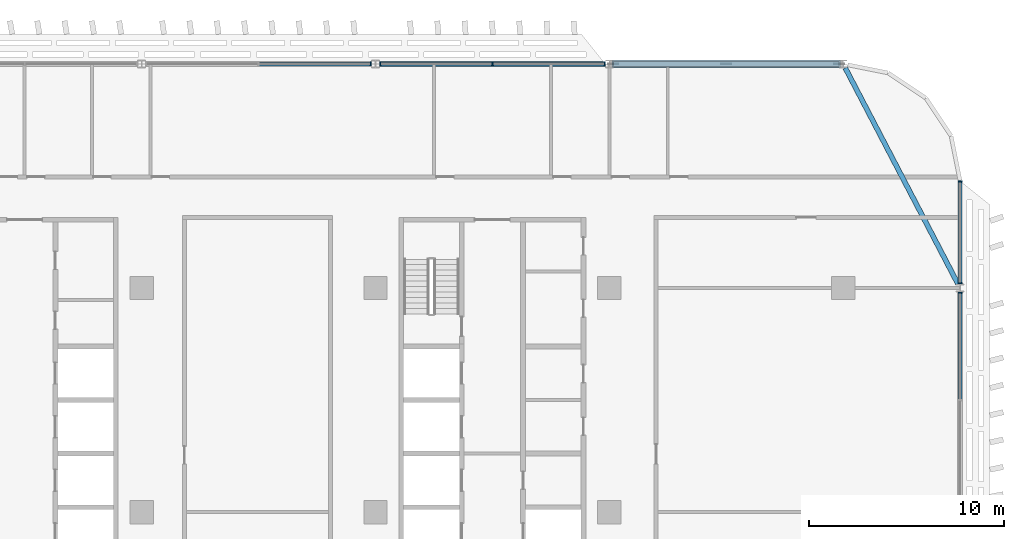
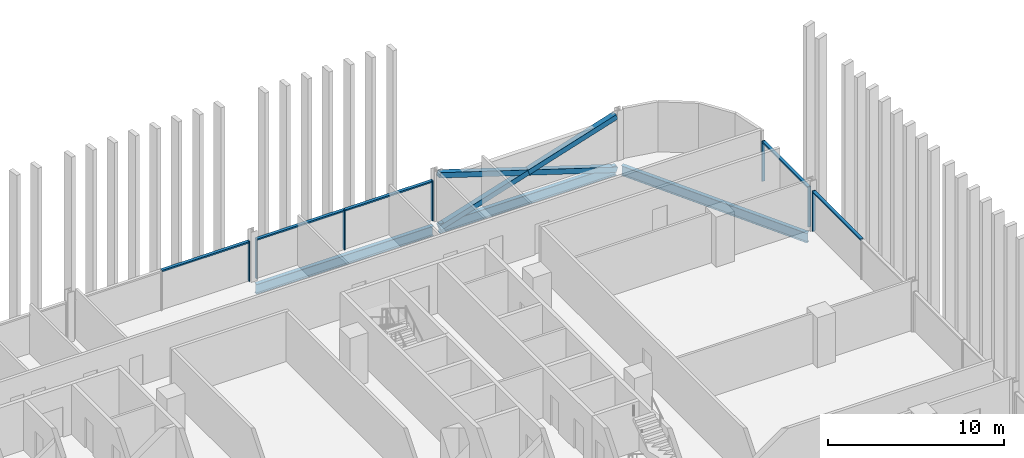
# One storey, part 10 of 28: 15 members, 3 beams, 4 elements without a shape of their own.
"""IFC4 building model written with IfcOpenShell, lengths in metres."""

from ifc_helpers import new_model, si_unit, direction, frame, origin, origin_2d, place, context, subcontext, project, spatial, rectangle, hollow_rectangle, i_section, extrude, material, material_profile, profile_set, type_object, element, aggregate, save


model = new_model("IFC4")

# Units and contexts
model_context = context("Model", 3, precision=1e-05, world=origin(), true_north=direction((0.0, 1.0)))
body_context = subcontext(model_context, "Body", "Model", "MODEL_VIEW")
ifc_project = project(units=[si_unit("LENGTHUNIT", "METRE"), si_unit("AREAUNIT", "SQUARE_METRE"), si_unit("VOLUMEUNIT", "CUBIC_METRE"), si_unit("PLANEANGLEUNIT", "RADIAN"), si_unit("MASSUNIT", "GRAM", prefix="KILO")], contexts=[model_context])

# Site, building, storey
site_placement = place(None, origin())
site = spatial("IfcSite", under=ifc_project, at=site_placement, CompositionType="ELEMENT")
building_placement = place(site_placement, origin())
building = spatial("IfcBuilding", under=site, at=building_placement, Name="Mahtab Terrace Research Tower", CompositionType="ELEMENT")
storey_placement = place(building_placement, frame((0.0, 0.0, 174.39990234375)))
storey = spatial("IfcBuildingStorey", under=building, at=storey_placement, Name="L41", CompositionType="ELEMENT", Elevation=174.39990234375)

# Members
ifc_material_1 = material(Name="Steel ASTM A500 Gr C", Category="steel")
ifc_material_profile_1 = material_profile(ifc_material_1, hollow_rectangle(XDim=0.355712890625, YDim=0.355712890625, WallThickness=0.015869140625, at=origin_2d()), Name="HSS14X14X5/8")
ifc_profile_set_1 = profile_set([ifc_material_profile_1], Name="Steel ASTM A500 Gr C")
member_type_1 = type_object("IfcMemberType", Name="HSS 14x14x5/8 brace XB141458", PredefinedType="BRACE", material=ifc_profile_set_1)
member_1_placement = place(storey_placement, frame((41.796875, 23.0, -0.61474609375), z_axis=(-0.953341454971, 0.0, 0.301894137463), x_axis=(0.0, -1.0, 0.0)))
element("IfcMember", 1, at=member_1_placement, inside=storey, type_object=member_type_1, Name="Exoskeleton brace L41 01 a", PredefinedType="BRACE", context=body_context, shape_type="SweptSolid", body=[
    extrude(hollow_rectangle(XDim=0.355712890625, YDim=0.355712890625, WallThickness=0.015869140625, at=origin_2d()), origin(), (0.0, 0.0, 1.0), 12.1611328125),
])
for number, where, z_axis, x_axis, name in (
    (2, (30.203125, 23.0, -0.61474609375), (0.953341454971, 0.0, 0.301894137463), (0.0, 1.0, 0.0), "Exoskeleton brace L41 01 b1"),
    (3, (36.0, 23.0, 1.220947265625), (0.953341454971, 0.0, 0.301894137463), (0.0, 1.0, 0.0), "Exoskeleton brace L41 01 b2"),
):
    element("IfcMember", number, at=place(storey_placement, frame(where, z_axis=z_axis, x_axis=x_axis)), inside=storey, type_object=member_type_1, Name=name, PredefinedType="BRACE", context=body_context, shape_type="SweptSolid", body=[
        extrude(hollow_rectangle(XDim=0.355712890625, YDim=0.355712890625, WallThickness=0.015869140625, at=origin_2d()), origin(), (0.0, 0.0, 1.0), 6.08056640625),
    ])

# Curtain wall, members
ifc_material_2 = material(Name="Laboratory ribbon curtain wall")
curtain_wall_type = type_object("IfcCurtainWallType", Name="Laboratory ribbon curtain wall", PredefinedType="NOTDEFINED", material=ifc_material_2)
curtain_wall_1_placement = place(storey_placement, origin())
curtain_wall_1 = element("IfcCurtainWall", 4, at=curtain_wall_1_placement, inside=storey, type_object=curtain_wall_type, Name="EN.L41.3.4", PredefinedType="NOTDEFINED")
ifc_material_3 = material(Name="Natural anodised aluminium", Category="aluminium")
ifc_material_profile_2 = material_profile(ifc_material_3, rectangle(XDim=0.199951171875, YDim=0.06494140625, at=origin_2d()), Name="MULLION 65x200")
ifc_profile_set_2 = profile_set([ifc_material_profile_2], Name="Natural anodised aluminium")
member_type_2 = type_object("IfcMemberType", Name="Laboratory ribbon curtain wall mullion", PredefinedType="MULLION", material=ifc_profile_set_2)
member_2_placement = place(storey_placement, frame((29.759521484375, 23.0, 0.0), z_axis=(0.0, 0.0, 1.0), x_axis=(0.0, -1.0, 0.0)))
member_2 = element("IfcMember", 5, at=member_2_placement, type_object=member_type_2, Name="CWL-5 mullion 1", PredefinedType="MULLION", context=body_context, shape_type="SweptSolid", body=[
    extrude(rectangle(XDim=0.199951171875, YDim=0.06494140625, at=origin_2d()), origin(), (0.0, 0.0, 1.0), 2.781982421875),
])
member_3_placement = place(storey_placement, frame((24.0, 23.0, 0.0), z_axis=(0.0, 0.0, 1.0), x_axis=(0.0, -1.0, 0.0)))
member_3 = element("IfcMember", 6, at=member_3_placement, type_object=member_type_2, Name="CWL-5 mullion 2", PredefinedType="MULLION", context=body_context, shape_type="SweptSolid", body=[
    extrude(rectangle(XDim=0.199951171875, YDim=0.06494140625, at=origin_2d()), origin(), (0.0, 0.0, 1.0), 2.781982421875),
])
member_4_placement = place(storey_placement, frame((18.240478515625, 23.0, 0.0), z_axis=(0.0, 0.0, 1.0), x_axis=(0.0, -1.0, 0.0)))
member_4 = element("IfcMember", 7, at=member_4_placement, type_object=member_type_2, Name="CWL-5 mullion 3", PredefinedType="MULLION", context=body_context, shape_type="SweptSolid", body=[
    extrude(rectangle(XDim=0.199951171875, YDim=0.06494140625, at=origin_2d()), origin(), (0.0, 0.0, 1.0), 2.781982421875),
])

# Curtain wall, member
curtain_wall_2_placement = place(storey_placement, origin())
curtain_wall_2 = element("IfcCurtainWall", 8, at=curtain_wall_2_placement, inside=storey, type_object=curtain_wall_type, Name="EN.L41.3.5", PredefinedType="NOTDEFINED")
member_5_placement = place(storey_placement, frame((17.759521484375, 23.0, 0.0), z_axis=(0.0, 0.0, 1.0), x_axis=(0.0, -1.0, 0.0)))
member_5 = element("IfcMember", 9, at=member_5_placement, type_object=member_type_2, Name="CWL-5 mullion 1", PredefinedType="MULLION", context=body_context, shape_type="SweptSolid", body=[
    extrude(rectangle(XDim=0.199951171875, YDim=0.06494140625, at=origin_2d()), origin(), (0.0, 0.0, 1.0), 2.781982421875),
])

curtain_wall_3_placement = place(storey_placement, origin())
curtain_wall_3 = element("IfcCurtainWall", 10, at=curtain_wall_3_placement, inside=storey, type_object=curtain_wall_type, Name="EN.L41.18.36", PredefinedType="NOTDEFINED")
member_6_placement = place(storey_placement, frame((48.0, 11.259521484375, 0.0), z_axis=(0.0, 0.0, 1.0), x_axis=(-1.0, 0.0, 0.0)))
member_6 = element("IfcMember", 11, at=member_6_placement, type_object=member_type_2, Name="CWL-5 mullion 3", PredefinedType="MULLION", context=body_context, shape_type="SweptSolid", body=[
    extrude(rectangle(XDim=0.199951171875, YDim=0.06494140625, at=origin_2d()), origin(), (0.0, 0.0, 1.0), 2.781982421875),
])

# Curtain wall, members
curtain_wall_4_placement = place(storey_placement, origin())
curtain_wall_4 = element("IfcCurtainWall", 12, at=curtain_wall_4_placement, inside=storey, type_object=curtain_wall_type, Name="EN.L41.18.37", PredefinedType="NOTDEFINED")
member_7_placement = place(storey_placement, frame((48.0, 11.740478515625, 0.0), z_axis=(0.0, 0.0, 1.0), x_axis=(-1.0, 0.0, 0.0)))
member_7 = element("IfcMember", 13, at=member_7_placement, type_object=member_type_2, Name="CWL-5 mullion 1", PredefinedType="MULLION", context=body_context, shape_type="SweptSolid", body=[
    extrude(rectangle(XDim=0.199951171875, YDim=0.06494140625, at=origin_2d()), origin(), (0.0, 0.0, 1.0), 2.781982421875),
])
member_8_placement = place(storey_placement, frame((48.0, 16.967529296875, 0.0), z_axis=(0.0, 0.0, 1.0), x_axis=(-1.0, 0.0, 0.0)))
member_8 = element("IfcMember", 14, at=member_8_placement, type_object=member_type_2, Name="CWL-5 mullion 2", PredefinedType="MULLION", context=body_context, shape_type="SweptSolid", body=[
    extrude(rectangle(XDim=0.199951171875, YDim=0.06494140625, at=origin_2d()), origin(), (0.0, 0.0, 1.0), 2.781982421875),
])

# Member
ifc_material_profile_3 = material_profile(ifc_material_3, rectangle(XDim=0.199951171875, YDim=0.10009765625, at=origin_2d()), Name="TRANSOM 100x200")
ifc_profile_set_3 = profile_set([ifc_material_profile_3], Name="Natural anodised aluminium")
member_type_3 = type_object("IfcMemberType", Name="Laboratory ribbon curtain wall transom", PredefinedType="USERDEFINED", material=ifc_profile_set_3)
member_9_placement = place(storey_placement, frame((29.72705078125, 23.0, 2.73193359375), z_axis=(-1.0, 0.0, 0.0), x_axis=(0.0, -1.0, 0.0)))
member_9 = element("IfcMember", 15, at=member_9_placement, type_object=member_type_3, Name="CWL-5 transom 1", ObjectType="TRANSOM", PredefinedType="USERDEFINED", context=body_context, shape_type="SweptSolid", body=[
    extrude(rectangle(XDim=0.199951171875, YDim=0.10009765625, at=origin_2d()), origin(), (0.0, 0.0, 1.0), 5.694580078125),
])

member_10_placement = place(storey_placement, frame((23.967529296875, 23.0, 2.73193359375), z_axis=(-1.0, 0.0, 0.0), x_axis=(0.0, -1.0, 0.0)))
member_10 = element("IfcMember", 16, at=member_10_placement, type_object=member_type_3, Name="CWL-5 transom 2", ObjectType="TRANSOM", PredefinedType="USERDEFINED", context=body_context, shape_type="SweptSolid", body=[
    extrude(rectangle(XDim=0.199951171875, YDim=0.10009765625, at=origin_2d()), origin(), (0.0, 0.0, 1.0), 5.694580078125),
])

aggregate(curtain_wall_1, [member_2, member_3, member_4, member_9, member_10])

member_11_placement = place(storey_placement, frame((17.72705078125, 23.0, 2.73193359375), z_axis=(-1.0, 0.0, 0.0), x_axis=(0.0, -1.0, 0.0)))
member_11 = element("IfcMember", 17, at=member_11_placement, type_object=member_type_3, Name="CWL-5 transom 1", ObjectType="TRANSOM", PredefinedType="USERDEFINED", context=body_context, shape_type="SweptSolid", body=[
    extrude(rectangle(XDim=0.199951171875, YDim=0.10009765625, at=origin_2d()), origin(), (0.0, 0.0, 1.0), 5.694580078125),
])

aggregate(curtain_wall_2, [member_5, member_11])

member_12_placement = place(storey_placement, frame((48.0, 5.782470703125, 2.73193359375), z_axis=(0.0, 1.0, 0.0), x_axis=(-1.0, 0.0, 0.0)))
member_12 = element("IfcMember", 18, at=member_12_placement, type_object=member_type_3, Name="CWL-5 transom 2", ObjectType="TRANSOM", PredefinedType="USERDEFINED", context=body_context, shape_type="SweptSolid", body=[
    extrude(rectangle(XDim=0.199951171875, YDim=0.10009765625, at=origin_2d()), origin(), (0.0, 0.0, 1.0), 5.444580078125),
])

aggregate(curtain_wall_3, [member_6, member_12])

member_13_placement = place(storey_placement, frame((48.0, 11.77294921875, 2.73193359375), z_axis=(0.0, 1.0, 0.0), x_axis=(-1.0, 0.0, 0.0)))
member_13 = element("IfcMember", 19, at=member_13_placement, type_object=member_type_3, Name="CWL-5 transom 1", ObjectType="TRANSOM", PredefinedType="USERDEFINED", context=body_context, shape_type="SweptSolid", body=[
    extrude(rectangle(XDim=0.199951171875, YDim=0.10009765625, at=origin_2d()), origin(), (0.0, 0.0, 1.0), 5.162109375),
])

aggregate(curtain_wall_4, [member_7, member_8, member_13])

# Beams
ifc_material_4 = material(Name="Steel ASTM A992 Gr 50", Category="steel")
ifc_material_profile_4 = material_profile(ifc_material_4, i_section(OverallWidth=0.25390625, OverallDepth=0.67822265625, WebThickness=0.01171875, FlangeThickness=0.016357421875, at=origin_2d()), Name="W27X84")
ifc_profile_set_4 = profile_set([ifc_material_profile_4], Name="Steel ASTM A992 Gr 50")
beam_type = type_object("IfcBeamType", Name="W27x84 beam BS2784", PredefinedType="BEAM", material=ifc_profile_set_4)
for number, where, z_axis, x_axis, name in (
    (20, (41.796875, 23.0, -0.678955078125), (-1.0, 0.0, 0.0), (0.0, -1.0, 0.0), "Spandrel beam L41 01"),
    (21, (29.796875, 23.0, -0.678955078125), (-1.0, 0.0, 0.0), (0.0, -1.0, 0.0), "Spandrel beam L41 02"),
):
    element("IfcBeam", number, at=place(storey_placement, frame(where, z_axis=z_axis, x_axis=x_axis)), inside=storey, type_object=beam_type, Name=name, PredefinedType="BEAM", context=body_context, shape_type="SweptSolid", body=[
        extrude(i_section(OverallWidth=0.25390625, OverallDepth=0.67822265625, WebThickness=0.01171875, FlangeThickness=0.016357421875, at=origin_2d()), origin(), (0.0, 0.0, 1.0), 11.59375),
    ])
beam_placement = place(storey_placement, frame((47.891357421875, 11.708251953125, -0.678955078125), z_axis=(-0.462567341525, 0.886584149731, 0.0), x_axis=(-0.886584149731, -0.462567341525, 0.0)))
element("IfcBeam", 22, at=beam_placement, inside=storey, type_object=beam_type, Name="Spandrel beam L41 22", PredefinedType="BEAM", context=body_context, shape_type="SweptSolid", body=[
    extrude(i_section(OverallWidth=0.25390625, OverallDepth=0.67822265625, WebThickness=0.01171875, FlangeThickness=0.016357421875, at=origin_2d()), origin(), (0.0, 0.0, 1.0), 12.50146484375),
])

save(model, "model.ifc")
